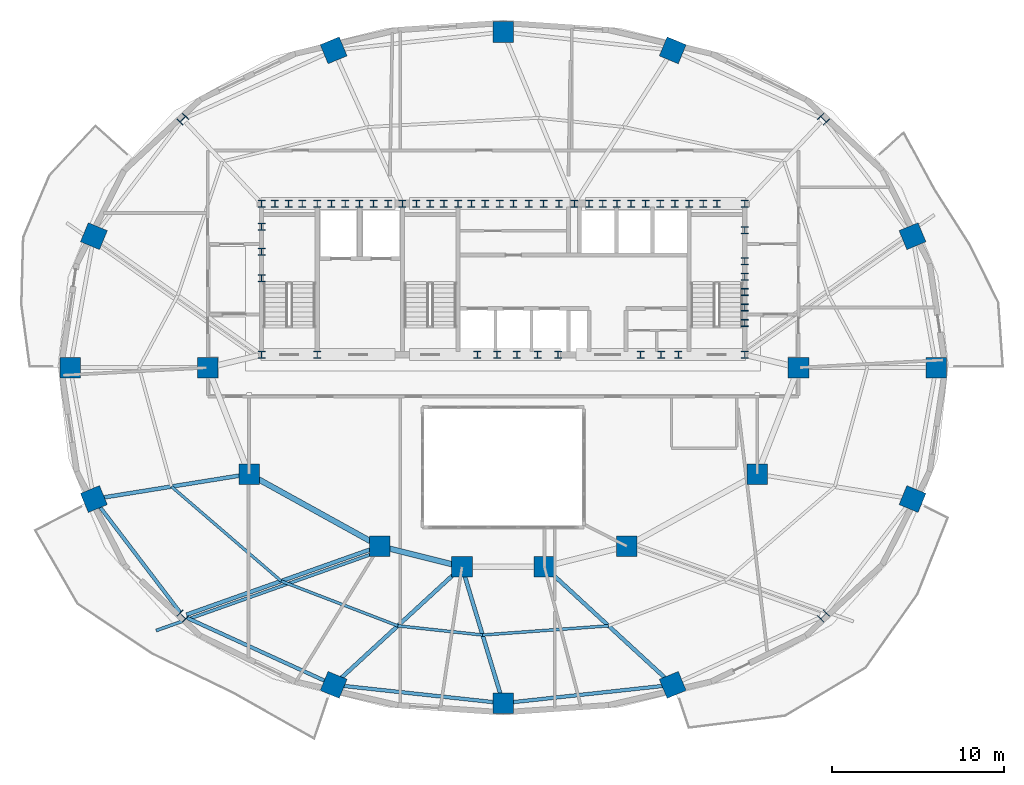
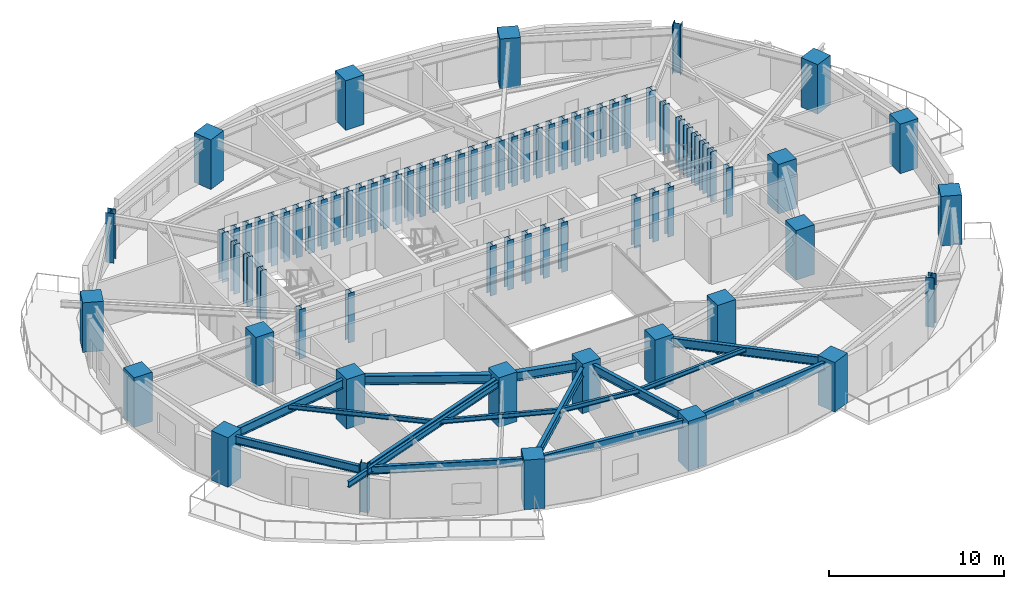
# One storey, part 1 of 11: 78 columns, 16 beams.
"""IFC4 building model written with IfcOpenShell, lengths in metres."""

from ifc_helpers import new_model, si_unit, direction, frame, origin, origin_2d, place, context, subcontext, project, spatial, rectangle, i_section, extrude, material, material_profile, profile_set, type_object, element, save


model = new_model("IFC4")

# Units and contexts
model_context = context("Model", 3, precision=1e-05, world=origin(), true_north=direction((0.0, 1.0)))
body_context = subcontext(model_context, "Body", "Model", "MODEL_VIEW")
ifc_project = project(units=[si_unit("LENGTHUNIT", "METRE"), si_unit("AREAUNIT", "SQUARE_METRE"), si_unit("VOLUMEUNIT", "CUBIC_METRE"), si_unit("PLANEANGLEUNIT", "RADIAN"), si_unit("MASSUNIT", "GRAM", prefix="KILO")], contexts=[model_context])

# Site, building, storey
site_placement = place(None, origin())
site = spatial("IfcSite", under=ifc_project, at=site_placement, CompositionType="ELEMENT")
building_placement = place(site_placement, origin())
building = spatial("IfcBuilding", under=site, at=building_placement, Name="Haldorwick Loom Tower", CompositionType="ELEMENT")
storey_placement = place(building_placement, frame((0.0, 0.0, 171.699951171875)))
storey = spatial("IfcBuildingStorey", under=building, at=storey_placement, Name="L46", CompositionType="ELEMENT", Elevation=171.699951171875)

# Columns
ifc_material_1 = material(Name="Concrete C60 (60 MPa)", Category="concrete")
ifc_material_profile_1 = material_profile(ifc_material_1, rectangle(XDim=1.199951171875, YDim=1.199951171875, at=origin_2d()), Name="RC1200X1200", Category="concrete")
ifc_profile_set_1 = profile_set([ifc_material_profile_1], Name="Concrete C60 (60 MPa)")
column_type_1 = type_object("IfcColumnType", Name="STR-COL-RC1200", PredefinedType="COLUMN", material=ifc_profile_set_1)
for number, where, z_axis, x_axis, name in (
    (1, (53.199951171875, 26.0, 0.0), (0.0, 0.0, 1.0), (1.0, 0.0, 0.0), "L46 Inner Column IC-01"),
    (2, (50.800048828125, 19.800048828125, 0.0), (0.0, 0.0, 1.0), (1.0, 0.0, 0.0), "L46 Inner Column IC-02"),
    (3, (43.199951171875, 15.60009765625, 0.0), (0.0, 0.0, 1.0), (1.0, 0.0, 0.0), "L46 Inner Column IC-03"),
    (4, (38.39990234375, 14.39990234375, 0.0), (0.0, 0.0, 1.0), (1.0, 0.0, 0.0), "L46 Inner Column IC-04"),
    (5, (33.60009765625, 14.39990234375, 0.0), (0.0, 0.0, 1.0), (1.0, 0.0, 0.0), "L46 Inner Column IC-05"),
    (6, (28.800048828125, 15.60009765625, 0.0), (0.0, 0.0, 1.0), (1.0, 0.0, 0.0), "L46 Inner Column IC-06"),
    (7, (21.199951171875, 19.800048828125, 0.0), (0.0, 0.0, 1.0), (1.0, 0.0, 0.0), "L46 Inner Column IC-07"),
    (8, (18.800048828125, 26.0, 0.0), (0.0, 0.0, 1.0), (1.0, 0.0, 0.0), "L46 Inner Column IC-08"),
    (9, (61.217041015625, 26.0, 0.0), (0.0, 0.0, 1.0), (1.0, 0.0, 0.0), "L46 Perimeter Pier Column P01"),
    (10, (59.836181640625, 33.65380859375, 0.0), (0.0, 0.0, 1.0), (0.923879532511, 0.382683432365, 0.0), "L46 Perimeter Pier Column P02"),
    (11, (45.873291015625, 44.4775390625, 0.0), (0.0, 0.0, 1.0), (0.382683432365, 0.923879532511, 0.0), "L46 Perimeter Pier Column P04"),
    (12, (36.0, 45.544677734375, 0.0), (0.0, 0.0, 1.0), (0.0, 1.0, 0.0), "L46 Perimeter Pier Column P05"),
    (13, (26.126708984375, 44.4775390625, 0.0), (0.0, 0.0, 1.0), (-0.382683432365, 0.923879532511, 0.0), "L46 Perimeter Pier Column P06"),
    (14, (12.163818359375, 33.65380859375, 0.0), (0.0, 0.0, 1.0), (-0.923879532511, 0.382683432365, 0.0), "L46 Perimeter Pier Column P08"),
    (15, (10.782958984375, 26.0, 0.0), (0.0, 0.0, 1.0), (-1.0, 0.0, 0.0), "L46 Perimeter Pier Column P09"),
    (16, (12.163818359375, 18.34619140625, 0.0), (0.0, 0.0, 1.0), (-0.923879532511, -0.382683432365, 0.0), "L46 Perimeter Pier Column P10"),
    (17, (26.126708984375, 7.5224609375, 0.0), (0.0, 0.0, 1.0), (-0.382683432365, -0.923879532511, 0.0), "L46 Perimeter Pier Column P12"),
    (18, (36.0, 6.455322265625, 0.0), (0.0, 0.0, 1.0), (0.0, -1.0, 0.0), "L46 Perimeter Pier Column P13"),
    (19, (45.873291015625, 7.5224609375, 0.0), (0.0, 0.0, 1.0), (0.382683432365, -0.923879532511, 0.0), "L46 Perimeter Pier Column P14"),
    (20, (59.836181640625, 18.34619140625, 0.0), (0.0, 0.0, 1.0), (0.923879532511, -0.382683432365, 0.0), "L46 Perimeter Pier Column P16"),
):
    element("IfcColumn", number, at=place(storey_placement, frame(where, z_axis=z_axis, x_axis=x_axis)), inside=storey, type_object=column_type_1, Name=name, PredefinedType="COLUMN", context=body_context, shape_type="SweptSolid", body=[
        extrude(rectangle(XDim=1.199951171875, YDim=1.199951171875, at=origin_2d()), origin(), (0.0, 0.0, 1.0), 3.449951171875),
    ])
ifc_material_2 = material(Name="Steel CSA G40.21 350W", Category="steel")
ifc_material_profile_2 = material_profile(ifc_material_2, i_section(OverallWidth=0.406005859375, OverallDepth=0.416015625, WebThickness=0.024169921875, FlangeThickness=0.03857421875, at=origin_2d()), Name="W360X382", Category="steel")
ifc_profile_set_2 = profile_set([ifc_material_profile_2], Name="Steel CSA G40.21 350W")
column_type_2 = type_object("IfcColumnType", Name="STR-COL-W360X382", PredefinedType="COLUMN", material=ifc_profile_set_2)
for number, where, z_axis, x_axis, name in (
    (21, (21.929931640625, 35.550048828125, 0.0), (0.0, 0.0, 1.0), (1.0, 0.0, 0.0), "L46 Core Pilaster CB-01"),
    (22, (23.5, 35.550048828125, 0.0), (0.0, 0.0, 1.0), (1.0, 0.0, 0.0), "L46 Core Pilaster CB-02"),
    (23, (25.169921875, 35.550048828125, 0.0), (0.0, 0.0, 1.0), (1.0, 0.0, 0.0), "L46 Core Pilaster CB-03"),
    (24, (26.800048828125, 35.550048828125, 0.0), (0.0, 0.0, 1.0), (1.0, 0.0, 0.0), "L46 Core Pilaster CB-04"),
    (25, (28.449951171875, 35.550048828125, 0.0), (0.0, 0.0, 1.0), (1.0, 0.0, 0.0), "L46 Core Pilaster CB-05"),
    (26, (30.1298828125, 35.550048828125, 0.0), (0.0, 0.0, 1.0), (1.0, 0.0, 0.0), "L46 Core Pilaster CB-06"),
    (27, (31.75, 35.550048828125, 0.0), (0.0, 0.0, 1.0), (1.0, 0.0, 0.0), "L46 Core Pilaster CB-07"),
    (28, (33.3701171875, 35.550048828125, 0.0), (0.0, 0.0, 1.0), (1.0, 0.0, 0.0), "L46 Core Pilaster CB-08"),
    (29, (34.949951171875, 35.550048828125, 0.0), (0.0, 0.0, 1.0), (1.0, 0.0, 0.0), "L46 Core Pilaster CB-09"),
    (30, (36.60009765625, 35.550048828125, 0.0), (0.0, 0.0, 1.0), (1.0, 0.0, 0.0), "L46 Core Pilaster CB-10"),
    (31, (38.35009765625, 35.550048828125, 0.0), (0.0, 0.0, 1.0), (1.0, 0.0, 0.0), "L46 Core Pilaster CB-11"),
    (32, (40.14990234375, 35.550048828125, 0.0), (0.0, 0.0, 1.0), (1.0, 0.0, 0.0), "L46 Core Pilaster CB-12"),
    (33, (41.800048828125, 35.550048828125, 0.0), (0.0, 0.0, 1.0), (1.0, 0.0, 0.0), "L46 Core Pilaster CB-13"),
    (34, (43.449951171875, 35.550048828125, 0.0), (0.0, 0.0, 1.0), (1.0, 0.0, 0.0), "L46 Core Pilaster CB-14"),
    (35, (45.14990234375, 35.550048828125, 0.0), (0.0, 0.0, 1.0), (1.0, 0.0, 0.0), "L46 Core Pilaster CB-15"),
    (36, (46.830078125, 35.550048828125, 0.0), (0.0, 0.0, 1.0), (1.0, 0.0, 0.0), "L46 Core Pilaster CB-16"),
    (37, (48.449951171875, 35.550048828125, 0.0), (0.0, 0.0, 1.0), (1.0, 0.0, 0.0), "L46 Core Pilaster CB-17"),
    (38, (50.070068359375, 35.550048828125, 0.0), (0.0, 0.0, 1.0), (1.0, 0.0, 0.0), "L46 Core Pilaster CB-18"),
    (39, (21.929931640625, 26.75, 0.0), (0.0, 0.0, 1.0), (1.0, 0.0, 0.0), "L46 Core Pilaster CB-19"),
    (40, (25.169921875, 26.75, 0.0), (0.0, 0.0, 1.0), (1.0, 0.0, 0.0), "L46 Core Pilaster CB-20"),
    (41, (34.5, 26.75, 0.0), (0.0, 0.0, 1.0), (1.0, 0.0, 0.0), "L46 Core Pilaster CB-21"),
    (42, (36.800048828125, 26.75, 0.0), (0.0, 0.0, 1.0), (1.0, 0.0, 0.0), "L46 Core Pilaster CB-22"),
    (43, (39.199951171875, 26.75, 0.0), (0.0, 0.0, 1.0), (1.0, 0.0, 0.0), "L46 Core Pilaster CB-23"),
    (44, (45.199951171875, 26.75, 0.0), (0.0, 0.0, 1.0), (1.0, 0.0, 0.0), "L46 Core Pilaster CB-24"),
    (45, (50.070068359375, 26.75, 0.0), (0.0, 0.0, 1.0), (1.0, 0.0, 0.0), "L46 Core Pilaster CB-25"),
    (46, (21.929931640625, 31.199951171875, 0.0), (0.0, 0.0, 1.0), (1.0, 0.0, 0.0), "L46 Core Pilaster CB-26"),
    (47, (21.929931640625, 32.75, 0.0), (0.0, 0.0, 1.0), (1.0, 0.0, 0.0), "L46 Core Pilaster CB-27"),
    (48, (21.929931640625, 34.199951171875, 0.0), (0.0, 0.0, 1.0), (1.0, 0.0, 0.0), "L46 Core Pilaster CB-28"),
    (49, (50.070068359375, 28.60009765625, 0.0), (0.0, 0.0, 1.0), (1.0, 0.0, 0.0), "L46 Core Pilaster CB-29"),
    (50, (50.070068359375, 30.39990234375, 0.0), (0.0, 0.0, 1.0), (1.0, 0.0, 0.0), "L46 Core Pilaster CB-30"),
    (51, (50.070068359375, 32.199951171875, 0.0), (0.0, 0.0, 1.0), (1.0, 0.0, 0.0), "L46 Core Pilaster CB-31"),
    (52, (50.070068359375, 34.0, 0.0), (0.0, 0.0, 1.0), (1.0, 0.0, 0.0), "L46 Core Pilaster CB-32"),
    (53, (22.699951171875, 35.550048828125, 0.0), (0.0, 0.0, 1.0), (1.0, 0.0, 0.0), "L46 Core Pilaster CB-33"),
    (54, (27.6201171875, 35.550048828125, 0.0), (0.0, 0.0, 1.0), (1.0, 0.0, 0.0), "L46 Core Pilaster CB-34"),
    (55, (32.550048828125, 35.550048828125, 0.0), (0.0, 0.0, 1.0), (1.0, 0.0, 0.0), "L46 Core Pilaster CB-35"),
    (56, (37.5, 35.550048828125, 0.0), (0.0, 0.0, 1.0), (1.0, 0.0, 0.0), "L46 Core Pilaster CB-36"),
    (57, (42.6201171875, 35.550048828125, 0.0), (0.0, 0.0, 1.0), (1.0, 0.0, 0.0), "L46 Core Pilaster CB-37"),
    (58, (47.64990234375, 35.550048828125, 0.0), (0.0, 0.0, 1.0), (1.0, 0.0, 0.0), "L46 Core Pilaster CB-38"),
    (59, (24.300048828125, 35.550048828125, 0.0), (0.0, 0.0, 1.0), (1.0, 0.0, 0.0), "L46 Core Pilaster CB-39"),
    (60, (26.0, 35.550048828125, 0.0), (0.0, 0.0, 1.0), (1.0, 0.0, 0.0), "L46 Core Pilaster CB-40"),
    (61, (29.300048828125, 35.550048828125, 0.0), (0.0, 0.0, 1.0), (1.0, 0.0, 0.0), "L46 Core Pilaster CB-41"),
    (62, (30.949951171875, 35.550048828125, 0.0), (0.0, 0.0, 1.0), (1.0, 0.0, 0.0), "L46 Core Pilaster CB-42"),
    (63, (34.14990234375, 35.550048828125, 0.0), (0.0, 0.0, 1.0), (1.0, 0.0, 0.0), "L46 Core Pilaster CB-43"),
    (64, (35.800048828125, 35.550048828125, 0.0), (0.0, 0.0, 1.0), (1.0, 0.0, 0.0), "L46 Core Pilaster CB-44"),
    (65, (39.25, 35.550048828125, 0.0), (0.0, 0.0, 1.0), (1.0, 0.0, 0.0), "L46 Core Pilaster CB-45"),
    (66, (41.0, 35.550048828125, 0.0), (0.0, 0.0, 1.0), (1.0, 0.0, 0.0), "L46 Core Pilaster CB-46"),
    (67, (44.300048828125, 35.550048828125, 0.0), (0.0, 0.0, 1.0), (1.0, 0.0, 0.0), "L46 Core Pilaster CB-47"),
    (68, (46.0, 35.550048828125, 0.0), (0.0, 0.0, 1.0), (1.0, 0.0, 0.0), "L46 Core Pilaster CB-48"),
    (69, (50.070068359375, 29.5, 0.0), (0.0, 0.0, 1.0), (1.0, 0.0, 0.0), "L46 Core Pilaster CB-49"),
    (70, (50.070068359375, 31.300048828125, 0.0), (0.0, 0.0, 1.0), (1.0, 0.0, 0.0), "L46 Core Pilaster CB-50"),
    (71, (35.64990234375, 26.75, 0.0), (0.0, 0.0, 1.0), (1.0, 0.0, 0.0), "L46 Core Pilaster CB-51"),
    (72, (38.0, 26.75, 0.0), (0.0, 0.0, 1.0), (1.0, 0.0, 0.0), "L46 Core Pilaster CB-52"),
    (73, (44.0, 26.75, 0.0), (0.0, 0.0, 1.0), (1.0, 0.0, 0.0), "L46 Core Pilaster CB-53"),
    (74, (46.199951171875, 26.75, 0.0), (0.0, 0.0, 1.0), (1.0, 0.0, 0.0), "L46 Core Pilaster CB-54"),
):
    element("IfcColumn", number, at=place(storey_placement, frame(where, z_axis=z_axis, x_axis=x_axis)), inside=storey, type_object=column_type_2, Name=name, PredefinedType="COLUMN", context=body_context, shape_type="SweptSolid", body=[
        extrude(i_section(OverallWidth=0.406005859375, OverallDepth=0.416015625, WebThickness=0.024169921875, FlangeThickness=0.03857421875, at=origin_2d()), origin(), (0.0, 0.0, 1.0), 3.449951171875),
    ])
ifc_material_3 = material(Name="Steel CSA G40.21 350WT", Category="steel")
ifc_material_profile_3 = material_profile(ifc_material_3, i_section(OverallWidth=0.5, OverallDepth=0.5, WebThickness=0.02197265625, FlangeThickness=0.031982421875, at=origin_2d()), Name="WWF500X500", Category="steel")
ifc_profile_set_3 = profile_set([ifc_material_profile_3], Name="Steel CSA G40.21 350WT")
column_type_3 = type_object("IfcColumnType", Name="STR-COL-WWF500", PredefinedType="COLUMN", material=ifc_profile_set_3)
for number, where, z_axis, x_axis, name in (
    (75, (54.655517578125, 40.464111328125, 0.0), (0.0, 0.0, 1.0), (0.707106781187, 0.707106781187, 0.0), "L46 Perimeter Pier Column P03"),
    (76, (17.344482421875, 40.464111328125, 0.0), (0.0, 0.0, 1.0), (-0.707106781187, 0.707106781187, 0.0), "L46 Perimeter Pier Column P07"),
    (77, (17.344482421875, 11.535888671875, 0.0), (0.0, 0.0, 1.0), (-0.707106781187, -0.707106781187, 0.0), "L46 Perimeter Pier Column P11"),
    (78, (54.655517578125, 11.535888671875, 0.0), (0.0, 0.0, 1.0), (0.707106781187, -0.707106781187, 0.0), "L46 Perimeter Pier Column P15"),
):
    element("IfcColumn", number, at=place(storey_placement, frame(where, z_axis=z_axis, x_axis=x_axis)), inside=storey, type_object=column_type_3, Name=name, PredefinedType="COLUMN", context=body_context, shape_type="SweptSolid", body=[
        extrude(i_section(OverallWidth=0.5, OverallDepth=0.5, WebThickness=0.02197265625, FlangeThickness=0.031982421875, at=origin_2d()), origin(), (0.0, 0.0, 1.0), 3.449951171875),
    ])

# Beams
ifc_material_profile_4 = material_profile(ifc_material_2, i_section(OverallWidth=0.179931640625, OverallDepth=0.4130859375, WebThickness=0.009765625, FlangeThickness=0.01611328125, at=origin_2d()), Name="W410X74", Category="steel")
ifc_profile_set_4 = profile_set([ifc_material_profile_4], Name="Steel CSA G40.21 350W")
beam_type_1 = type_object("IfcBeamType", Name="STR-BM-BAL410", PredefinedType="BEAM", material=ifc_profile_set_4)
beam_1_placement = place(storey_placement, frame((28.403564453125, 15.162109375, 3.003662109375), z_axis=(-0.942447955832, -0.334352883266, 0.0), x_axis=(0.334352883266, -0.942447955832, 0.0)))
element("IfcBeam", 79, at=beam_1_placement, inside=storey, type_object=beam_type_1, Name="L46 Continuous Back-Spanned Balcony Beam 2", PredefinedType="BEAM", context=body_context, shape_type="SweptSolid", body=[
    extrude(i_section(OverallWidth=0.179931640625, OverallDepth=0.4130859375, WebThickness=0.009765625, FlangeThickness=0.01611328125, at=origin_2d()), origin(), (0.0, 0.0, 1.0), 13.385009765625),
])
ifc_material_profile_5 = material_profile(ifc_material_2, i_section(OverallWidth=0.166015625, OverallDepth=0.31298828125, WebThickness=0.006591796875, FlangeThickness=0.01123046875, at=origin_2d()), Name="W310X45", Category="steel")
ifc_profile_set_5 = profile_set([ifc_material_profile_5], Name="Steel CSA G40.21 350W")
beam_type_2 = type_object("IfcBeamType", Name="STR-BM-J310", PredefinedType="JOIST", material=ifc_profile_set_5)
beam_2_placement = place(storey_placement, frame((16.681884765625, 19.072998046875, 3.053466796875), z_axis=(0.75763401328, -0.652679631918, 0.0), x_axis=(0.652679631918, 0.75763401328, 0.0)))
element("IfcBeam", 80, at=beam_2_placement, inside=storey, type_object=beam_type_2, Name="L46 Mid-Bay Secondary Joist 10", PredefinedType="JOIST", context=body_context, shape_type="SweptSolid", body=[
    extrude(i_section(OverallWidth=0.166015625, OverallDepth=0.31298828125, WebThickness=0.006591796875, FlangeThickness=0.01123046875, at=origin_2d()), origin(), (0.0, 0.0, 1.0), 8.4345703125),
])
beam_3_placement = place(storey_placement, frame((23.072265625, 13.56787109375, 3.053466796875), z_axis=(0.933586737031, -0.358351509609, 0.0), x_axis=(0.358351509609, 0.933586737031, 0.0)))
element("IfcBeam", 81, at=beam_3_placement, inside=storey, type_object=beam_type_2, Name="L46 Mid-Bay Secondary Joist 11", PredefinedType="JOIST", context=body_context, shape_type="SweptSolid", body=[
    extrude(i_section(OverallWidth=0.166015625, OverallDepth=0.31298828125, WebThickness=0.006591796875, FlangeThickness=0.01123046875, at=origin_2d()), origin(), (0.0, 0.0, 1.0), 7.274169921875),
])
beam_4_placement = place(storey_placement, frame((29.86328125, 10.961181640625, 3.053466796875), z_axis=(0.994212584227, -0.107430616514, 0.0), x_axis=(0.107430616514, 0.994212584227, 0.0)))
element("IfcBeam", 82, at=beam_4_placement, inside=storey, type_object=beam_type_2, Name="L46 Mid-Bay Secondary Joist 12", PredefinedType="JOIST", context=body_context, shape_type="SweptSolid", body=[
    extrude(i_section(OverallWidth=0.166015625, OverallDepth=0.31298828125, WebThickness=0.006591796875, FlangeThickness=0.01123046875, at=origin_2d()), origin(), (0.0, 0.0, 1.0), 4.965576171875),
])
beam_5_placement = place(storey_placement, frame((34.800048828125, 10.427734375, 3.053466796875), z_axis=(0.997367082818, 0.072518288109, 0.0), x_axis=(-0.072518288109, 0.997367082818, 0.0)))
element("IfcBeam", 83, at=beam_5_placement, inside=storey, type_object=beam_type_2, Name="L46 Mid-Bay Secondary Joist 13", PredefinedType="JOIST", context=body_context, shape_type="SweptSolid", body=[
    extrude(i_section(OverallWidth=0.166015625, OverallDepth=0.31298828125, WebThickness=0.006591796875, FlangeThickness=0.01123046875, at=origin_2d()), origin(), (0.0, 0.0, 1.0), 7.35595703125),
])
ifc_material_profile_6 = material_profile(ifc_material_2, i_section(OverallWidth=0.2119140625, OverallDepth=0.5439453125, WebThickness=0.01318359375, FlangeThickness=0.021240234375, at=origin_2d()), Name="W530X123", Category="steel")
ifc_profile_set_6 = profile_set([ifc_material_profile_6], Name="Steel CSA G40.21 350W")
beam_type_3 = type_object("IfcBeamType", Name="STR-BM-SP530", PredefinedType="SPANDREL", material=ifc_profile_set_6)
beam_6_placement = place(storey_placement, frame((12.478759765625, 17.932373046875, 2.93798828125), z_axis=(0.605421569293, -0.79590497136, 0.0), x_axis=(0.79590497136, 0.605421569293, 0.0)))
element("IfcBeam", 84, at=beam_6_placement, inside=storey, type_object=beam_type_3, Name="L46 Perimeter Spandrel 10", PredefinedType="SPANDREL", context=body_context, shape_type="SweptSolid", body=[
    extrude(i_section(OverallWidth=0.2119140625, OverallDepth=0.5439453125, WebThickness=0.01318359375, FlangeThickness=0.021240234375, at=origin_2d()), origin(), (0.0, 0.0, 1.0), 7.81201171875),
])
beam_7_placement = place(storey_placement, frame((17.549072265625, 11.4423828125, 2.93798828125), z_axis=(0.909523899848, -0.415651627695, 0.0), x_axis=(0.415651627695, 0.909523899848, 0.0)))
element("IfcBeam", 85, at=beam_7_placement, inside=storey, type_object=beam_type_3, Name="L46 Perimeter Spandrel 11", PredefinedType="SPANDREL", context=body_context, shape_type="SweptSolid", body=[
    extrude(i_section(OverallWidth=0.2119140625, OverallDepth=0.5439453125, WebThickness=0.01318359375, FlangeThickness=0.021240234375, at=origin_2d()), origin(), (0.0, 0.0, 1.0), 8.910888671875),
])
for number, where, z_axis, x_axis, name in (
    (86, (26.643798828125, 7.466552734375, 2.93798828125), (0.994210140187, -0.107453232386, 0.0), (0.107453232386, 0.994210140187, 0.0), "L46 Perimeter Spandrel 12"),
    (87, (36.51708984375, 6.51123046875, 2.93798828125), (0.994210140187, 0.107453232386, 0.0), (-0.107453232386, 0.994210140187, 0.0), "L46 Perimeter Spandrel 13"),
):
    element("IfcBeam", number, at=place(storey_placement, frame(where, z_axis=z_axis, x_axis=x_axis)), inside=storey, type_object=beam_type_3, Name=name, PredefinedType="SPANDREL", context=body_context, shape_type="SweptSolid", body=[
        extrude(i_section(OverallWidth=0.2119140625, OverallDepth=0.5439453125, WebThickness=0.01318359375, FlangeThickness=0.021240234375, at=origin_2d()), origin(), (0.0, 0.0, 1.0), 8.890625),
    ])
ifc_material_profile_7 = material_profile(ifc_material_2, i_section(OverallWidth=0.324951171875, OverallDepth=0.615966796875, WebThickness=0.013916015625, FlangeThickness=0.021484375, at=origin_2d()), Name="W610X174", Category="steel")
ifc_profile_set_7 = profile_set([ifc_material_profile_7], Name="Steel CSA G40.21 350W")
beam_type_4 = type_object("IfcBeamType", Name="STR-BM-W610A", PredefinedType="BEAM", material=ifc_profile_set_7)
beam_8_placement = place(storey_placement, frame((33.095458984375, 14.526123046875, 2.902099609375), z_axis=(-0.970142500145, 0.242535625036, 0.0), x_axis=(-0.242535625036, -0.970142500145, 0.0)))
element("IfcBeam", 88, at=beam_8_placement, inside=storey, type_object=beam_type_4, Name="L46 Inner Ring Girder 6", PredefinedType="BEAM", context=body_context, shape_type="SweptSolid", body=[
    extrude(i_section(OverallWidth=0.324951171875, OverallDepth=0.615966796875, WebThickness=0.013916015625, FlangeThickness=0.021484375, at=origin_2d()), origin(), (0.0, 0.0, 1.0), 3.90771484375),
])
beam_9_placement = place(storey_placement, frame((28.344970703125, 15.8515625, 2.902099609375), z_axis=(-0.875244382146, 0.483680960471, 0.0), x_axis=(-0.483680960471, -0.875244382146, 0.0)))
element("IfcBeam", 89, at=beam_9_placement, inside=storey, type_object=beam_type_4, Name="L46 Inner Ring Girder 7", PredefinedType="BEAM", context=body_context, shape_type="SweptSolid", body=[
    extrude(i_section(OverallWidth=0.324951171875, OverallDepth=0.615966796875, WebThickness=0.013916015625, FlangeThickness=0.021484375, at=origin_2d()), origin(), (0.0, 0.0, 1.0), 7.6435546875),
])
ifc_material_profile_8 = material_profile(ifc_material_2, i_section(OverallWidth=0.22998046875, OverallDepth=0.616943359375, WebThickness=0.01318359375, FlangeThickness=0.022216796875, at=origin_2d()), Name="W610X140", Category="steel")
ifc_profile_set_8 = profile_set([ifc_material_profile_8], Name="Steel CSA G40.21 350W")
beam_type_5 = type_object("IfcBeamType", Name="STR-BM-W610B", PredefinedType="BEAM", material=ifc_profile_set_8)
beam_10_placement = place(storey_placement, frame((20.6865234375, 19.71728515625, 2.901611328125), z_axis=(-0.987308639475, -0.158813256432, 0.0), x_axis=(0.158813256432, -0.987308639475, 0.0)))
element("IfcBeam", 90, at=beam_10_placement, inside=storey, type_object=beam_type_5, Name="L46 Radial Floor Girder 10", PredefinedType="BEAM", context=body_context, shape_type="SweptSolid", body=[
    extrude(i_section(OverallWidth=0.22998046875, OverallDepth=0.616943359375, WebThickness=0.01318359375, FlangeThickness=0.022216796875, at=origin_2d()), origin(), (0.0, 0.0, 1.0), 8.1123046875),
])
beam_11_placement = place(storey_placement, frame((28.309814453125, 15.426025390625, 2.901611328125), z_axis=(-0.942449496381, -0.334348540854, 0.0), x_axis=(0.334348540854, -0.942449496381, 0.0)))
element("IfcBeam", 91, at=beam_11_placement, inside=storey, type_object=beam_type_5, Name="L46 Radial Floor Girder 11", PredefinedType="BEAM", context=body_context, shape_type="SweptSolid", body=[
    extrude(i_section(OverallWidth=0.22998046875, OverallDepth=0.616943359375, WebThickness=0.01318359375, FlangeThickness=0.022216796875, at=origin_2d()), origin(), (0.0, 0.0, 1.0), 11.41015625),
])
beam_12_placement = place(storey_placement, frame((33.21728515625, 14.0478515625, 2.901611328125), z_axis=(-0.735810902934, -0.677187060658, 0.0), x_axis=(0.677187060658, -0.735810902934, 0.0)))
element("IfcBeam", 92, at=beam_12_placement, inside=storey, type_object=beam_type_5, Name="L46 Radial Floor Girder 12", PredefinedType="BEAM", context=body_context, shape_type="SweptSolid", body=[
    extrude(i_section(OverallWidth=0.22998046875, OverallDepth=0.616943359375, WebThickness=0.01318359375, FlangeThickness=0.022216796875, at=origin_2d()), origin(), (0.0, 0.0, 1.0), 9.1162109375),
])
beam_13_placement = place(storey_placement, frame((33.75048828125, 13.902099609375, 2.901611328125), z_axis=(0.28917091681, -0.957277483738, 0.0), x_axis=(0.957277483738, 0.28917091681, 0.0)))
element("IfcBeam", 93, at=beam_13_placement, inside=storey, type_object=beam_type_5, Name="L46 Radial Floor Girder 13", PredefinedType="BEAM", context=body_context, shape_type="SweptSolid", body=[
    extrude(i_section(OverallWidth=0.22998046875, OverallDepth=0.616943359375, WebThickness=0.01318359375, FlangeThickness=0.022216796875, at=origin_2d()), origin(), (0.0, 0.0, 1.0), 7.259033203125),
])
beam_14_placement = place(storey_placement, frame((38.78271484375, 14.0478515625, 2.901611328125), z_axis=(0.735810902934, -0.677187060658, 0.0), x_axis=(0.677187060658, 0.735810902934, 0.0)))
element("IfcBeam", 94, at=beam_14_placement, inside=storey, type_object=beam_type_5, Name="L46 Radial Floor Girder 14", PredefinedType="BEAM", context=body_context, shape_type="SweptSolid", body=[
    extrude(i_section(OverallWidth=0.22998046875, OverallDepth=0.616943359375, WebThickness=0.01318359375, FlangeThickness=0.022216796875, at=origin_2d()), origin(), (0.0, 0.0, 1.0), 9.1162109375),
])

save(model, "model.ifc")
